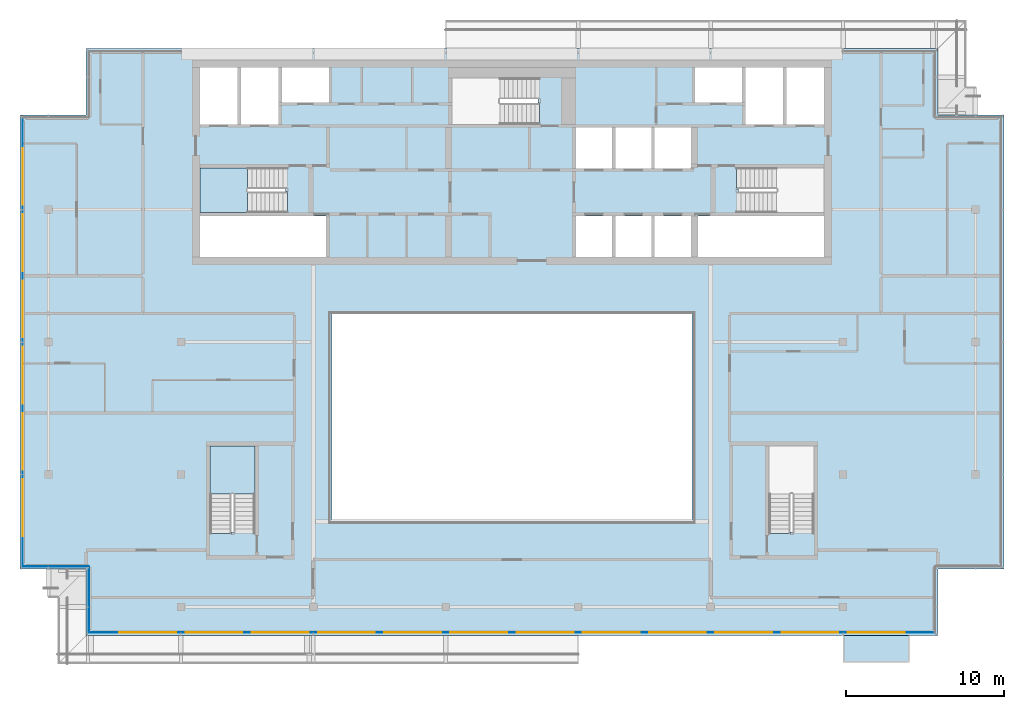
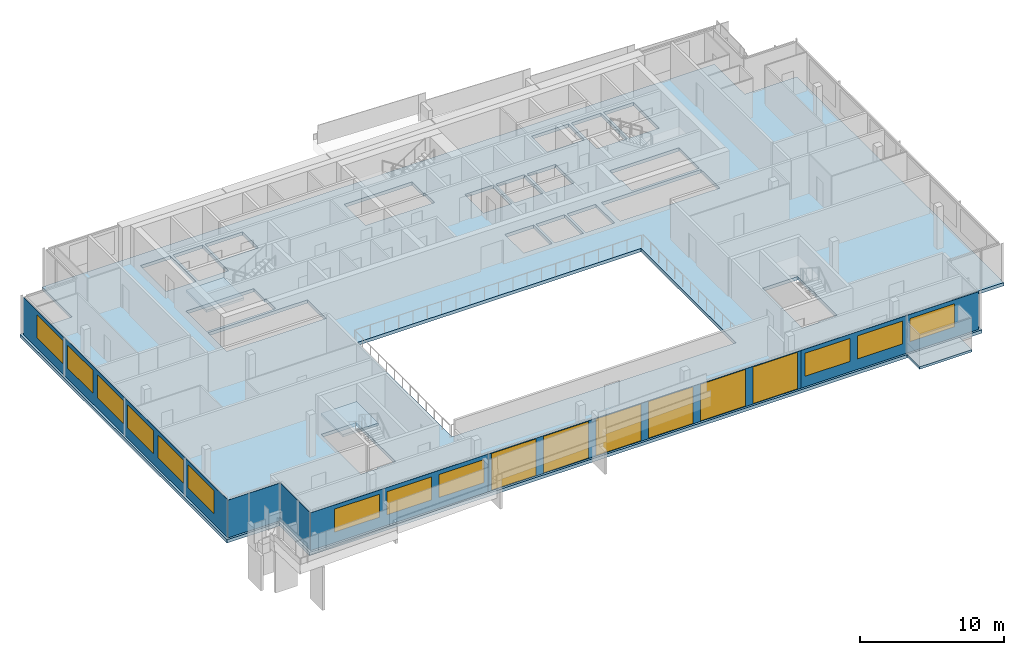
# One storey, part 10 of 22: 18 windows, 6 plates, 4 slabs, 18 openings, 6 elements without a shape of their own.
"""IFC4 building model written with IfcOpenShell, lengths in metres."""

from ifc_helpers import new_model, si_unit, direction, frame, frame_2d, origin, place, context, subcontext, project, spatial, polyline, rectangle, outline, extrude, material, layer, layer_set, type_object, element, fill, aggregate, save


model = new_model("IFC4")

# Units and contexts
model_context = context("Model", 3, precision=1e-05, world=origin(), true_north=direction((0.0, 1.0)))
body_context = subcontext(model_context, "Body", "Model", "MODEL_VIEW")
ifc_project = project(units=[si_unit("LENGTHUNIT", "METRE"), si_unit("AREAUNIT", "SQUARE_METRE"), si_unit("VOLUMEUNIT", "CUBIC_METRE"), si_unit("PLANEANGLEUNIT", "RADIAN"), si_unit("MASSUNIT", "GRAM", prefix="KILO")], contexts=[model_context])

# Site, building, storey
site_placement = place(None, origin())
site = spatial("IfcSite", under=ifc_project, at=site_placement, CompositionType="ELEMENT")
building_placement = place(site_placement, origin())
building = spatial("IfcBuilding", under=site, at=building_placement, Name="Saffron Gate Tower", CompositionType="ELEMENT")
storey_placement = place(building_placement, frame((0.0, 0.0, 295.949951171875)))
storey = spatial("IfcBuildingStorey", under=building, at=storey_placement, Name="L72", CompositionType="ELEMENT", Elevation=295.949951171875)

# Curtain wall, plates, openings, windows
ifc_material_1 = material(Name="Aluminium, bronze anodised", Category="aluminium")
curtain_wall_type_1 = type_object("IfcCurtainWallType", Name="CWS1 curtain wall front facade", PredefinedType="NOTDEFINED", material=ifc_material_1)
curtain_wall_1_placement = place(storey_placement, origin())
curtain_wall_1 = element("IfcCurtainWall", 1, at=curtain_wall_1_placement, inside=storey, type_object=curtain_wall_type_1, Name="CWS1 run 1", PredefinedType="NOTDEFINED")
ifc_material_2 = material(Name="Clear low-iron laminated glass", Category="glass")
ifc_layer_1 = layer(ifc_material_2, 0.028076171875)
ifc_layer_set_1 = layer_set([ifc_layer_1], Name="CWS1 clear glass")
plate_type_1 = type_object("IfcPlateType", Name="CWS1 clear glass", PredefinedType="CURTAIN_PANEL", material=ifc_layer_set_1)
plate_1_placement = place(storey_placement, frame((75.030029296875, 38.573974609375, 0.0), z_axis=(0.0, 0.0, 1.0), x_axis=(1.0, 0.0, 0.0)))
plate_1 = element("IfcPlate", 2, at=plate_1_placement, type_object=plate_type_1, Name="CWS1 clear glass panel", PredefinedType="CURTAIN_PANEL", context=body_context, shape_type="SweptSolid", body=[
    extrude(rectangle(XDim=25.139892578125, YDim=0.028076171875, at=frame_2d((12.56982421875, 0.0))), origin(), (0.0, 0.0, 1.0), 3.199951171875),
])
opening_1_placement = place(plate_1_placement, frame((0.27001953125, 0.0, 0.050048828125)))
opening_1 = element("IfcOpeningElement", 3, at=opening_1_placement, cuts=plate_1, Name="Opening WA", PredefinedType="OPENING", context=body_context, shape_type="SweptSolid", body=[
    extrude(rectangle(XDim=3.60009765625, YDim=3.10009765625, at=frame_2d((1.800048828125, 1.550048828125))), frame((0.0, 0.02392578125, 0.0), z_axis=(0.0, -1.0, 0.0), x_axis=(1.0, 0.0, 0.0)), (0.0, 0.0, 1.0), 0.048095703125),
])
opening_2_placement = place(plate_1_placement, frame((4.469970703125, 0.0, 0.050048828125)))
opening_2 = element("IfcOpeningElement", 4, at=opening_2_placement, cuts=plate_1, Name="Opening WA", PredefinedType="OPENING", context=body_context, shape_type="SweptSolid", body=[
    extrude(rectangle(XDim=3.60009765625, YDim=3.10009765625, at=frame_2d((1.800048828125, 1.550048828125))), frame((0.0, 0.02392578125, 0.0), z_axis=(0.0, -1.0, 0.0), x_axis=(1.0, 0.0, 0.0)), (0.0, 0.0, 1.0), 0.048095703125),
])
opening_3_placement = place(plate_1_placement, frame((8.669921875, 0.0, 0.050048828125)))
opening_3 = element("IfcOpeningElement", 5, at=opening_3_placement, cuts=plate_1, Name="Opening WA", PredefinedType="OPENING", context=body_context, shape_type="SweptSolid", body=[
    extrude(rectangle(XDim=3.60009765625, YDim=3.10009765625, at=frame_2d((1.800048828125, 1.550048828125))), frame((0.0, 0.02392578125, 0.0), z_axis=(0.0, -1.0, 0.0), x_axis=(1.0, 0.0, 0.0)), (0.0, 0.0, 1.0), 0.048095703125),
])
opening_4_placement = place(plate_1_placement, frame((12.8701171875, 0.0, 0.050048828125)))
opening_4 = element("IfcOpeningElement", 6, at=opening_4_placement, cuts=plate_1, Name="Opening WA", PredefinedType="OPENING", context=body_context, shape_type="SweptSolid", body=[
    extrude(rectangle(XDim=3.60009765625, YDim=3.10009765625, at=frame_2d((1.800048828125, 1.550048828125))), frame((0.0, 0.02392578125, 0.0), z_axis=(0.0, -1.0, 0.0), x_axis=(1.0, 0.0, 0.0)), (0.0, 0.0, 1.0), 0.048095703125),
])
opening_5_placement = place(plate_1_placement, frame((17.070068359375, 0.0, 0.050048828125)))
opening_5 = element("IfcOpeningElement", 7, at=opening_5_placement, cuts=plate_1, Name="Opening WA", PredefinedType="OPENING", context=body_context, shape_type="SweptSolid", body=[
    extrude(rectangle(XDim=3.60009765625, YDim=3.10009765625, at=frame_2d((1.800048828125, 1.550048828125))), frame((0.0, 0.02392578125, 0.0), z_axis=(0.0, -1.0, 0.0), x_axis=(1.0, 0.0, 0.0)), (0.0, 0.0, 1.0), 0.048095703125),
])
opening_6_placement = place(plate_1_placement, frame((21.27001953125, 0.0, 0.050048828125)))
opening_6 = element("IfcOpeningElement", 8, at=opening_6_placement, cuts=plate_1, Name="Opening WA", PredefinedType="OPENING", context=body_context, shape_type="SweptSolid", body=[
    extrude(rectangle(XDim=3.60009765625, YDim=3.10009765625, at=frame_2d((1.800048828125, 1.550048828125))), frame((0.0, 0.02392578125, 0.0), z_axis=(0.0, -1.0, 0.0), x_axis=(1.0, 0.0, 0.0)), (0.0, 0.0, 1.0), 0.048095703125),
])
ifc_material_3 = material(Name="Clear low-iron laminated glass in bronze frame", Category="glass")
ifc_layer_2 = layer(ifc_material_3, 0.06005859375)
ifc_layer_set_2 = layer_set([ifc_layer_2], Name="WA operable atrium unit 3600x3100")
window_type_1 = type_object("IfcWindowType", Name="WA operable atrium unit 3600x3100", PartitioningType="DOUBLE_PANEL_HORIZONTAL", PredefinedType="WINDOW", material=ifc_layer_set_2)
window_1_placement = place(opening_1_placement, origin())
window_1 = element("IfcWindow", 9, at=window_1_placement, type_object=window_type_1, Name="WA operable atrium unit", OverallHeight=3.10009765625, OverallWidth=3.60009765625, PartitioningType="SINGLE_PANEL", PredefinedType="WINDOW", context=body_context, shape_type="SweptSolid", body=[
    extrude(rectangle(XDim=3.60009765625, YDim=3.10009765625, at=frame_2d((1.800048828125, 1.550048828125))), frame((0.0, 0.013671875, 0.0), z_axis=(0.0, -1.0, 0.0), x_axis=(1.0, 0.0, 0.0)), (0.0, 0.0, 1.0), 0.027587890625),
])
fill(opening_1, window_1)
window_2_placement = place(opening_2_placement, origin())
window_2 = element("IfcWindow", 10, at=window_2_placement, type_object=window_type_1, Name="WA operable atrium unit", OverallHeight=3.10009765625, OverallWidth=3.60009765625, PartitioningType="SINGLE_PANEL", PredefinedType="WINDOW", context=body_context, shape_type="SweptSolid", body=[
    extrude(rectangle(XDim=3.60009765625, YDim=3.10009765625, at=frame_2d((1.800048828125, 1.550048828125))), frame((0.0, 0.013671875, 0.0), z_axis=(0.0, -1.0, 0.0), x_axis=(1.0, 0.0, 0.0)), (0.0, 0.0, 1.0), 0.027587890625),
])
fill(opening_2, window_2)
window_3_placement = place(opening_3_placement, origin())
window_3 = element("IfcWindow", 11, at=window_3_placement, type_object=window_type_1, Name="WA operable atrium unit", OverallHeight=3.10009765625, OverallWidth=3.60009765625, PartitioningType="SINGLE_PANEL", PredefinedType="WINDOW", context=body_context, shape_type="SweptSolid", body=[
    extrude(rectangle(XDim=3.60009765625, YDim=3.10009765625, at=frame_2d((1.800048828125, 1.550048828125))), frame((0.0, 0.013671875, 0.0), z_axis=(0.0, -1.0, 0.0), x_axis=(1.0, 0.0, 0.0)), (0.0, 0.0, 1.0), 0.027587890625),
])
fill(opening_3, window_3)
window_4_placement = place(opening_4_placement, origin())
window_4 = element("IfcWindow", 12, at=window_4_placement, type_object=window_type_1, Name="WA operable atrium unit", OverallHeight=3.10009765625, OverallWidth=3.60009765625, PartitioningType="SINGLE_PANEL", PredefinedType="WINDOW", context=body_context, shape_type="SweptSolid", body=[
    extrude(rectangle(XDim=3.60009765625, YDim=3.10009765625, at=frame_2d((1.800048828125, 1.550048828125))), frame((0.0, 0.013671875, 0.0), z_axis=(0.0, -1.0, 0.0), x_axis=(1.0, 0.0, 0.0)), (0.0, 0.0, 1.0), 0.027587890625),
])
fill(opening_4, window_4)
window_5_placement = place(opening_5_placement, origin())
window_5 = element("IfcWindow", 13, at=window_5_placement, type_object=window_type_1, Name="WA operable atrium unit", OverallHeight=3.10009765625, OverallWidth=3.60009765625, PartitioningType="SINGLE_PANEL", PredefinedType="WINDOW", context=body_context, shape_type="SweptSolid", body=[
    extrude(rectangle(XDim=3.60009765625, YDim=3.10009765625, at=frame_2d((1.800048828125, 1.550048828125))), frame((0.0, 0.013671875, 0.0), z_axis=(0.0, -1.0, 0.0), x_axis=(1.0, 0.0, 0.0)), (0.0, 0.0, 1.0), 0.027587890625),
])
fill(opening_5, window_5)
window_6_placement = place(opening_6_placement, origin())
window_6 = element("IfcWindow", 14, at=window_6_placement, type_object=window_type_1, Name="WA operable atrium unit", OverallHeight=3.10009765625, OverallWidth=3.60009765625, PartitioningType="SINGLE_PANEL", PredefinedType="WINDOW", context=body_context, shape_type="SweptSolid", body=[
    extrude(rectangle(XDim=3.60009765625, YDim=3.10009765625, at=frame_2d((1.800048828125, 1.550048828125))), frame((0.0, 0.013671875, 0.0), z_axis=(0.0, -1.0, 0.0), x_axis=(1.0, 0.0, 0.0)), (0.0, 0.0, 1.0), 0.027587890625),
])
fill(opening_6, window_6)
ifc_material_4 = material(Name="Fritted bronze-tinted laminated glass", Category="glass")
ifc_layer_3 = layer(ifc_material_4, 0.028076171875)
ifc_layer_set_3 = layer_set([ifc_layer_3], Name="CWS1 fixed glass")
plate_type_2 = type_object("IfcPlateType", Name="CWS1 fixed glass", PredefinedType="CURTAIN_PANEL", material=ifc_layer_set_3)
plate_2_placement = place(storey_placement, frame((60.7880859375, 38.573974609375, 0.0), z_axis=(0.0, 0.0, 1.0), x_axis=(1.0, 0.0, 0.0)))
plate_2 = element("IfcPlate", 15, at=plate_2_placement, type_object=plate_type_2, Name="CWS1 glass panel", PredefinedType="CURTAIN_PANEL", context=body_context, shape_type="SweptSolid", body=[
    extrude(rectangle(XDim=14.241943359375, YDim=0.028076171875, at=frame_2d((7.12109375, 0.0))), origin(), (0.0, 0.0, 1.0), 3.199951171875),
])
opening_7_placement = place(plate_2_placement, frame((1.912109375, 0.0, 0.89990234375)))
opening_7 = element("IfcOpeningElement", 16, at=opening_7_placement, cuts=plate_2, Name="Opening W1", PredefinedType="OPENING", context=body_context, shape_type="SweptSolid", body=[
    extrude(rectangle(XDim=3.60009765625, YDim=1.949951171875, at=frame_2d((1.800048828125, 0.97509765625))), frame((0.0, 0.02392578125, 0.0), z_axis=(0.0, -1.0, 0.0), x_axis=(1.0, 0.0, 0.0)), (0.0, 0.0, 1.0), 0.048095703125),
])
opening_8_placement = place(plate_2_placement, frame((6.112060546875, 0.0, 0.89990234375)))
opening_8 = element("IfcOpeningElement", 17, at=opening_8_placement, cuts=plate_2, Name="Opening W1", PredefinedType="OPENING", context=body_context, shape_type="SweptSolid", body=[
    extrude(rectangle(XDim=3.60009765625, YDim=1.949951171875, at=frame_2d((1.800048828125, 0.97509765625))), frame((0.0, 0.02392578125, 0.0), z_axis=(0.0, -1.0, 0.0), x_axis=(1.0, 0.0, 0.0)), (0.0, 0.0, 1.0), 0.048095703125),
])
opening_9_placement = place(plate_2_placement, frame((10.31201171875, 0.0, 0.89990234375)))
opening_9 = element("IfcOpeningElement", 18, at=opening_9_placement, cuts=plate_2, Name="Opening W1", PredefinedType="OPENING", context=body_context, shape_type="SweptSolid", body=[
    extrude(rectangle(XDim=3.60009765625, YDim=1.949951171875, at=frame_2d((1.800048828125, 0.97509765625))), frame((0.0, 0.02392578125, 0.0), z_axis=(0.0, -1.0, 0.0), x_axis=(1.0, 0.0, 0.0)), (0.0, 0.0, 1.0), 0.048095703125),
])
ifc_material_5 = material(Name="Fritted bronze-tinted laminated glass in bronze frame", Category="glass")
ifc_layer_4 = layer(ifc_material_5, 0.06005859375)
ifc_layer_set_4 = layer_set([ifc_layer_4], Name="W1 operable panel 3600x1950")
window_type_2 = type_object("IfcWindowType", Name="W1 operable panel 3600x1950", PartitioningType="DOUBLE_PANEL_HORIZONTAL", PredefinedType="WINDOW", material=ifc_layer_set_4)
window_7_placement = place(opening_7_placement, origin())
window_7 = element("IfcWindow", 19, at=window_7_placement, type_object=window_type_2, Name="W1 operable panel", OverallHeight=1.949951171875, OverallWidth=3.60009765625, PartitioningType="SINGLE_PANEL", PredefinedType="WINDOW", context=body_context, shape_type="SweptSolid", body=[
    extrude(rectangle(XDim=3.60009765625, YDim=1.949951171875, at=frame_2d((1.800048828125, 0.97509765625))), frame((0.0, 0.013671875, 0.0), z_axis=(0.0, -1.0, 0.0), x_axis=(1.0, 0.0, 0.0)), (0.0, 0.0, 1.0), 0.027587890625),
])
fill(opening_7, window_7)
window_8_placement = place(opening_8_placement, origin())
window_8 = element("IfcWindow", 20, at=window_8_placement, type_object=window_type_2, Name="W1 operable panel", OverallHeight=1.949951171875, OverallWidth=3.60009765625, PartitioningType="SINGLE_PANEL", PredefinedType="WINDOW", context=body_context, shape_type="SweptSolid", body=[
    extrude(rectangle(XDim=3.60009765625, YDim=1.949951171875, at=frame_2d((1.800048828125, 0.97509765625))), frame((0.0, 0.013671875, 0.0), z_axis=(0.0, -1.0, 0.0), x_axis=(1.0, 0.0, 0.0)), (0.0, 0.0, 1.0), 0.027587890625),
])
fill(opening_8, window_8)
window_9_placement = place(opening_9_placement, origin())
window_9 = element("IfcWindow", 21, at=window_9_placement, type_object=window_type_2, Name="W1 operable panel", OverallHeight=1.949951171875, OverallWidth=3.60009765625, PartitioningType="SINGLE_PANEL", PredefinedType="WINDOW", context=body_context, shape_type="SweptSolid", body=[
    extrude(rectangle(XDim=3.60009765625, YDim=1.949951171875, at=frame_2d((1.800048828125, 0.97509765625))), frame((0.0, 0.013671875, 0.0), z_axis=(0.0, -1.0, 0.0), x_axis=(1.0, 0.0, 0.0)), (0.0, 0.0, 1.0), 0.027587890625),
])
fill(opening_9, window_9)
plate_3_placement = place(storey_placement, frame((100.169921875, 38.573974609375, 0.0), z_axis=(0.0, 0.0, 1.0), x_axis=(1.0, 0.0, 0.0)))
plate_3 = element("IfcPlate", 22, at=plate_3_placement, type_object=plate_type_2, Name="CWS1 glass panel", PredefinedType="CURTAIN_PANEL", context=body_context, shape_type="SweptSolid", body=[
    extrude(rectangle(XDim=14.2421875, YDim=0.028076171875, at=frame_2d((7.12109375, 0.0))), origin(), (0.0, 0.0, 1.0), 3.199951171875),
])
opening_10_placement = place(plate_3_placement, frame((0.330078125, 0.0, 0.89990234375)))
opening_10 = element("IfcOpeningElement", 23, at=opening_10_placement, cuts=plate_3, Name="Opening W1", PredefinedType="OPENING", context=body_context, shape_type="SweptSolid", body=[
    extrude(rectangle(XDim=3.60009765625, YDim=1.949951171875, at=frame_2d((1.800048828125, 0.97509765625))), frame((0.0, 0.02392578125, 0.0), z_axis=(0.0, -1.0, 0.0), x_axis=(1.0, 0.0, 0.0)), (0.0, 0.0, 1.0), 0.048095703125),
])
opening_11_placement = place(plate_3_placement, frame((4.530029296875, 0.0, 0.89990234375)))
opening_11 = element("IfcOpeningElement", 24, at=opening_11_placement, cuts=plate_3, Name="Opening W1", PredefinedType="OPENING", context=body_context, shape_type="SweptSolid", body=[
    extrude(rectangle(XDim=3.60009765625, YDim=1.949951171875, at=frame_2d((1.800048828125, 0.97509765625))), frame((0.0, 0.02392578125, 0.0), z_axis=(0.0, -1.0, 0.0), x_axis=(1.0, 0.0, 0.0)), (0.0, 0.0, 1.0), 0.048095703125),
])
opening_12_placement = place(plate_3_placement, frame((8.72998046875, 0.0, 0.89990234375)))
opening_12 = element("IfcOpeningElement", 25, at=opening_12_placement, cuts=plate_3, Name="Opening W1", PredefinedType="OPENING", context=body_context, shape_type="SweptSolid", body=[
    extrude(rectangle(XDim=3.60009765625, YDim=1.949951171875, at=frame_2d((1.800048828125, 0.97509765625))), frame((0.0, 0.02392578125, 0.0), z_axis=(0.0, -1.0, 0.0), x_axis=(1.0, 0.0, 0.0)), (0.0, 0.0, 1.0), 0.048095703125),
])
window_10_placement = place(opening_10_placement, origin())
window_10 = element("IfcWindow", 26, at=window_10_placement, type_object=window_type_2, Name="W1 operable panel", OverallHeight=1.949951171875, OverallWidth=3.60009765625, PartitioningType="SINGLE_PANEL", PredefinedType="WINDOW", context=body_context, shape_type="SweptSolid", body=[
    extrude(rectangle(XDim=3.60009765625, YDim=1.949951171875, at=frame_2d((1.800048828125, 0.97509765625))), frame((0.0, 0.013671875, 0.0), z_axis=(0.0, -1.0, 0.0), x_axis=(1.0, 0.0, 0.0)), (0.0, 0.0, 1.0), 0.027587890625),
])
fill(opening_10, window_10)
window_11_placement = place(opening_11_placement, origin())
window_11 = element("IfcWindow", 27, at=window_11_placement, type_object=window_type_2, Name="W1 operable panel", OverallHeight=1.949951171875, OverallWidth=3.60009765625, PartitioningType="SINGLE_PANEL", PredefinedType="WINDOW", context=body_context, shape_type="SweptSolid", body=[
    extrude(rectangle(XDim=3.60009765625, YDim=1.949951171875, at=frame_2d((1.800048828125, 0.97509765625))), frame((0.0, 0.013671875, 0.0), z_axis=(0.0, -1.0, 0.0), x_axis=(1.0, 0.0, 0.0)), (0.0, 0.0, 1.0), 0.027587890625),
])
fill(opening_11, window_11)
window_12_placement = place(opening_12_placement, origin())
window_12 = element("IfcWindow", 28, at=window_12_placement, type_object=window_type_2, Name="W1 operable panel", OverallHeight=1.949951171875, OverallWidth=3.60009765625, PartitioningType="SINGLE_PANEL", PredefinedType="WINDOW", context=body_context, shape_type="SweptSolid", body=[
    extrude(rectangle(XDim=3.60009765625, YDim=1.949951171875, at=frame_2d((1.800048828125, 0.97509765625))), frame((0.0, 0.013671875, 0.0), z_axis=(0.0, -1.0, 0.0), x_axis=(1.0, 0.0, 0.0)), (0.0, 0.0, 1.0), 0.027587890625),
])
fill(opening_12, window_12)
aggregate(curtain_wall_1, [plate_2, plate_3, plate_1, window_7, window_8, window_9, window_10, window_11, window_12, window_1, window_2, window_3, window_4, window_5, window_6])

# Curtain wall, plate, openings, windows
curtain_wall_type_2 = type_object("IfcCurtainWallType", Name="CWS2 curtain wall side facades", PredefinedType="NOTDEFINED", material=ifc_material_1)
curtain_wall_2_placement = place(storey_placement, origin())
curtain_wall_2 = element("IfcCurtainWall", 29, at=curtain_wall_2_placement, inside=storey, type_object=curtain_wall_type_2, Name="CWS2 run 10", PredefinedType="NOTDEFINED")
ifc_layer_5 = layer(ifc_material_4, 0.028076171875)
ifc_layer_set_5 = layer_set([ifc_layer_5], Name="CWS2 fixed glass")
plate_type_3 = type_object("IfcPlateType", Name="CWS2 fixed glass", PredefinedType="CURTAIN_PANEL", material=ifc_layer_set_5)
plate_4_placement = place(storey_placement, frame((56.573974609375, 71.2119140625, 0.0), z_axis=(0.0, 0.0, 1.0), x_axis=(0.0, -1.0, 0.0)))
plate_4 = element("IfcPlate", 30, at=plate_4_placement, type_object=plate_type_3, Name="CWS2 glass panel", PredefinedType="CURTAIN_PANEL", context=body_context, shape_type="SweptSolid", body=[
    extrude(rectangle(XDim=28.423828125, YDim=0.028076171875, at=frame_2d((14.2119140625, 0.0))), origin(), (0.0, 0.0, 1.0), 3.199951171875),
])
opening_13_placement = place(plate_4_placement, frame((1.912109375, 0.0, 0.89990234375)))
opening_13 = element("IfcOpeningElement", 31, at=opening_13_placement, cuts=plate_4, Name="Opening W1", PredefinedType="OPENING", context=body_context, shape_type="SweptSolid", body=[
    extrude(rectangle(XDim=3.60009765625, YDim=1.949951171875, at=frame_2d((1.800048828125, 0.97509765625))), frame((0.0, 0.02392578125, 0.0), z_axis=(0.0, -1.0, 0.0), x_axis=(1.0, 0.0, 0.0)), (0.0, 0.0, 1.0), 0.048095703125),
])
opening_14_placement = place(plate_4_placement, frame((6.112060546875, 0.0, 0.89990234375)))
opening_14 = element("IfcOpeningElement", 32, at=opening_14_placement, cuts=plate_4, Name="Opening W1", PredefinedType="OPENING", context=body_context, shape_type="SweptSolid", body=[
    extrude(rectangle(XDim=3.60009765625, YDim=1.949951171875, at=frame_2d((1.800048828125, 0.97509765625))), frame((0.0, 0.02392578125, 0.0), z_axis=(0.0, -1.0, 0.0), x_axis=(1.0, 0.0, 0.0)), (0.0, 0.0, 1.0), 0.048095703125),
])
opening_15_placement = place(plate_4_placement, frame((10.31201171875, 0.0, 0.89990234375)))
opening_15 = element("IfcOpeningElement", 33, at=opening_15_placement, cuts=plate_4, Name="Opening W1", PredefinedType="OPENING", context=body_context, shape_type="SweptSolid", body=[
    extrude(rectangle(XDim=3.60009765625, YDim=1.949951171875, at=frame_2d((1.800048828125, 0.97509765625))), frame((0.0, 0.02392578125, 0.0), z_axis=(0.0, -1.0, 0.0), x_axis=(1.0, 0.0, 0.0)), (0.0, 0.0, 1.0), 0.048095703125),
])
opening_16_placement = place(plate_4_placement, frame((14.511962890625, 0.0, 0.89990234375)))
opening_16 = element("IfcOpeningElement", 34, at=opening_16_placement, cuts=plate_4, Name="Opening W1", PredefinedType="OPENING", context=body_context, shape_type="SweptSolid", body=[
    extrude(rectangle(XDim=3.60009765625, YDim=1.949951171875, at=frame_2d((1.800048828125, 0.97509765625))), frame((0.0, 0.02392578125, 0.0), z_axis=(0.0, -1.0, 0.0), x_axis=(1.0, 0.0, 0.0)), (0.0, 0.0, 1.0), 0.048095703125),
])
opening_17_placement = place(plate_4_placement, frame((18.7119140625, 0.0, 0.89990234375)))
opening_17 = element("IfcOpeningElement", 35, at=opening_17_placement, cuts=plate_4, Name="Opening W1", PredefinedType="OPENING", context=body_context, shape_type="SweptSolid", body=[
    extrude(rectangle(XDim=3.60009765625, YDim=1.949951171875, at=frame_2d((1.800048828125, 0.97509765625))), frame((0.0, 0.02392578125, 0.0), z_axis=(0.0, -1.0, 0.0), x_axis=(1.0, 0.0, 0.0)), (0.0, 0.0, 1.0), 0.048095703125),
])
opening_18_placement = place(plate_4_placement, frame((22.912109375, 0.0, 0.89990234375)))
opening_18 = element("IfcOpeningElement", 36, at=opening_18_placement, cuts=plate_4, Name="Opening W1", PredefinedType="OPENING", context=body_context, shape_type="SweptSolid", body=[
    extrude(rectangle(XDim=3.60009765625, YDim=1.949951171875, at=frame_2d((1.800048828125, 0.97509765625))), frame((0.0, 0.02392578125, 0.0), z_axis=(0.0, -1.0, 0.0), x_axis=(1.0, 0.0, 0.0)), (0.0, 0.0, 1.0), 0.048095703125),
])
window_13_placement = place(opening_13_placement, origin())
window_13 = element("IfcWindow", 37, at=window_13_placement, type_object=window_type_2, Name="W1 operable panel", OverallHeight=1.949951171875, OverallWidth=3.60009765625, PartitioningType="SINGLE_PANEL", PredefinedType="WINDOW", context=body_context, shape_type="SweptSolid", body=[
    extrude(rectangle(XDim=3.60009765625, YDim=1.949951171875, at=frame_2d((1.800048828125, 0.97509765625))), frame((0.0, 0.013671875, 0.0), z_axis=(0.0, -1.0, 0.0), x_axis=(1.0, 0.0, 0.0)), (0.0, 0.0, 1.0), 0.027587890625),
])
fill(opening_13, window_13)
window_14_placement = place(opening_14_placement, origin())
window_14 = element("IfcWindow", 38, at=window_14_placement, type_object=window_type_2, Name="W1 operable panel", OverallHeight=1.949951171875, OverallWidth=3.60009765625, PartitioningType="SINGLE_PANEL", PredefinedType="WINDOW", context=body_context, shape_type="SweptSolid", body=[
    extrude(rectangle(XDim=3.60009765625, YDim=1.949951171875, at=frame_2d((1.800048828125, 0.97509765625))), frame((0.0, 0.013671875, 0.0), z_axis=(0.0, -1.0, 0.0), x_axis=(1.0, 0.0, 0.0)), (0.0, 0.0, 1.0), 0.027587890625),
])
fill(opening_14, window_14)
window_15_placement = place(opening_15_placement, origin())
window_15 = element("IfcWindow", 39, at=window_15_placement, type_object=window_type_2, Name="W1 operable panel", OverallHeight=1.949951171875, OverallWidth=3.60009765625, PartitioningType="SINGLE_PANEL", PredefinedType="WINDOW", context=body_context, shape_type="SweptSolid", body=[
    extrude(rectangle(XDim=3.60009765625, YDim=1.949951171875, at=frame_2d((1.800048828125, 0.97509765625))), frame((0.0, 0.013671875, 0.0), z_axis=(0.0, -1.0, 0.0), x_axis=(1.0, 0.0, 0.0)), (0.0, 0.0, 1.0), 0.027587890625),
])
fill(opening_15, window_15)
window_16_placement = place(opening_16_placement, origin())
window_16 = element("IfcWindow", 40, at=window_16_placement, type_object=window_type_2, Name="W1 operable panel", OverallHeight=1.949951171875, OverallWidth=3.60009765625, PartitioningType="SINGLE_PANEL", PredefinedType="WINDOW", context=body_context, shape_type="SweptSolid", body=[
    extrude(rectangle(XDim=3.60009765625, YDim=1.949951171875, at=frame_2d((1.800048828125, 0.97509765625))), frame((0.0, 0.013671875, 0.0), z_axis=(0.0, -1.0, 0.0), x_axis=(1.0, 0.0, 0.0)), (0.0, 0.0, 1.0), 0.027587890625),
])
fill(opening_16, window_16)
window_17_placement = place(opening_17_placement, origin())
window_17 = element("IfcWindow", 41, at=window_17_placement, type_object=window_type_2, Name="W1 operable panel", OverallHeight=1.949951171875, OverallWidth=3.60009765625, PartitioningType="SINGLE_PANEL", PredefinedType="WINDOW", context=body_context, shape_type="SweptSolid", body=[
    extrude(rectangle(XDim=3.60009765625, YDim=1.949951171875, at=frame_2d((1.800048828125, 0.97509765625))), frame((0.0, 0.013671875, 0.0), z_axis=(0.0, -1.0, 0.0), x_axis=(1.0, 0.0, 0.0)), (0.0, 0.0, 1.0), 0.027587890625),
])
fill(opening_17, window_17)
window_18_placement = place(opening_18_placement, origin())
window_18 = element("IfcWindow", 42, at=window_18_placement, type_object=window_type_2, Name="W1 operable panel", OverallHeight=1.949951171875, OverallWidth=3.60009765625, PartitioningType="SINGLE_PANEL", PredefinedType="WINDOW", context=body_context, shape_type="SweptSolid", body=[
    extrude(rectangle(XDim=3.60009765625, YDim=1.949951171875, at=frame_2d((1.800048828125, 0.97509765625))), frame((0.0, 0.013671875, 0.0), z_axis=(0.0, -1.0, 0.0), x_axis=(1.0, 0.0, 0.0)), (0.0, 0.0, 1.0), 0.027587890625),
])
fill(opening_18, window_18)
aggregate(curtain_wall_2, [plate_4, window_13, window_14, window_15, window_16, window_17, window_18])

# Curtain wall, plate
curtain_wall_type_3 = type_object("IfcCurtainWallType", Name="CWS4 curtain wall corner returns", PredefinedType="NOTDEFINED", material=ifc_material_1)
curtain_wall_3_placement = place(storey_placement, origin())
curtain_wall_3 = element("IfcCurtainWall", 43, at=curtain_wall_3_placement, inside=storey, type_object=curtain_wall_type_3, Name="CWS4 run 11", PredefinedType="NOTDEFINED")
ifc_layer_6 = layer(ifc_material_4, 0.028076171875)
ifc_layer_set_6 = layer_set([ifc_layer_6], Name="CWS4 fixed glass")
plate_type_4 = type_object("IfcPlateType", Name="CWS4 fixed glass", PredefinedType="CURTAIN_PANEL", material=ifc_layer_set_6)
plate_5_placement = place(storey_placement, frame((56.587890625, 42.77392578125, 0.0), z_axis=(0.0, 0.0, 1.0), x_axis=(1.0, 0.0, 0.0)))
plate_5 = element("IfcPlate", 44, at=plate_5_placement, type_object=plate_type_4, Name="CWS4 glass panel", PredefinedType="CURTAIN_PANEL", context=body_context, shape_type="SweptSolid", body=[
    extrude(rectangle(XDim=4.172119140625, YDim=0.028076171875, at=frame_2d((2.0859375, 0.0))), origin(), (0.0, 0.0, 1.0), 3.199951171875),
])
aggregate(curtain_wall_3, [plate_5])

curtain_wall_4_placement = place(storey_placement, origin())
curtain_wall_4 = element("IfcCurtainWall", 45, at=curtain_wall_4_placement, inside=storey, type_object=curtain_wall_type_3, Name="CWS4 run 12", PredefinedType="NOTDEFINED")
plate_6_placement = place(storey_placement, frame((60.77392578125, 42.760009765625, 0.0), z_axis=(0.0, 0.0, 1.0), x_axis=(0.0, -1.0, 0.0)))
plate_6 = element("IfcPlate", 46, at=plate_6_placement, type_object=plate_type_4, Name="CWS4 glass panel", PredefinedType="CURTAIN_PANEL", context=body_context, shape_type="SweptSolid", body=[
    extrude(rectangle(XDim=4.172119140625, YDim=0.028076171875, at=frame_2d((2.0859375, 0.0))), origin(), (0.0, 0.0, 1.0), 3.199951171875),
])
aggregate(curtain_wall_4, [plate_6])

# Slab
ifc_material_6 = material(Name="Concrete C40", Category="concrete")
ifc_layer_7 = layer(ifc_material_6, 0.280029296875)
ifc_layer_set_7 = layer_set([ifc_layer_7], Name="S2 FLOOR SLAB 280 CONCRETE C40")
slab_type_1 = type_object("IfcSlabType", Name="S2 FLOOR SLAB 280 CONCRETE C40", PredefinedType="FLOOR", material=ifc_layer_set_7)
slab_1_placement = place(storey_placement, frame((0.0, 0.0, -0.280029296875)))
element("IfcSlab", 47, at=slab_1_placement, inside=storey, type_object=slab_type_1, Name="S2 FLOOR SLAB", PredefinedType="FLOOR", context=body_context, shape_type="SweptSolid", body=[
    extrude(outline(polyline([(56.39990234375, 42.60009765625), (60.60009765625, 42.60009765625), (60.60009765625, 38.39990234375), (114.60009765625, 38.39990234375), (114.60009765625, 42.60009765625), (118.800048828125, 42.60009765625), (118.800048828125, 71.39990234375), (114.60009765625, 71.39990234375), (114.60009765625, 75.60009765625), (60.60009765625, 75.60009765625), (60.60009765625, 71.39990234375), (56.39990234375, 71.39990234375), (56.39990234375, 42.60009765625)]), holes=[polyline([(67.800048828125, 62.39990234375), (67.800048828125, 65.0), (75.800048828125, 65.0), (75.800048828125, 62.39990234375), (67.800048828125, 62.39990234375)]), polyline([(67.800048828125, 65.199951171875), (67.800048828125, 68.050048828125), (73.25, 68.050048828125), (73.25, 66.550048828125), (73.34912109375, 66.550048828125), (73.34912109375, 65.199951171875), (67.800048828125, 65.199951171875)]), polyline([(67.800048828125, 70.800048828125), (67.800048828125, 74.39990234375), (70.199951171875, 74.39990234375), (70.199951171875, 70.800048828125), (67.800048828125, 70.800048828125)]), polyline([(68.449951171875, 44.85107421875), (68.449951171875, 50.39990234375), (71.300048828125, 50.39990234375), (71.300048828125, 44.949951171875), (69.800048828125, 44.949951171875), (69.800048828125, 44.85107421875), (68.449951171875, 44.85107421875)]), polyline([(70.39990234375, 70.800048828125), (70.39990234375, 74.39990234375), (72.800048828125, 74.39990234375), (72.800048828125, 70.800048828125), (70.39990234375, 70.800048828125)]), polyline([(73.0, 72.199951171875), (73.0, 74.39990234375), (76.0, 74.39990234375), (76.0, 72.199951171875), (73.0, 72.199951171875)]), polyline([(76.199951171875, 45.60009765625), (76.199951171875, 58.800048828125), (99.0, 58.800048828125), (99.0, 45.60009765625), (76.199951171875, 45.60009765625)]), polyline([(83.800048828125, 70.800048828125), (83.800048828125, 73.75), (89.25, 73.75), (89.25, 72.14990234375), (89.34912109375, 72.14990234375), (89.34912109375, 70.800048828125), (83.800048828125, 70.800048828125)]), polyline([(91.64990234375, 62.39990234375), (91.64990234375, 65.0), (93.949951171875, 65.0), (93.949951171875, 62.39990234375), (91.64990234375, 62.39990234375)]), polyline([(91.64990234375, 68.0), (91.64990234375, 70.60009765625), (93.949951171875, 70.60009765625), (93.949951171875, 68.0), (91.64990234375, 68.0)]), polyline([(94.14990234375, 62.39990234375), (94.14990234375, 65.0), (96.449951171875, 65.0), (96.449951171875, 62.39990234375), (94.14990234375, 62.39990234375)]), polyline([(94.14990234375, 68.0), (94.14990234375, 70.60009765625), (96.449951171875, 70.60009765625), (96.449951171875, 68.0), (94.14990234375, 68.0)]), polyline([(96.64990234375, 62.39990234375), (96.64990234375, 65.0), (98.949951171875, 65.0), (98.949951171875, 62.39990234375), (96.64990234375, 62.39990234375)]), polyline([(96.64990234375, 68.0), (96.64990234375, 70.60009765625), (98.949951171875, 70.60009765625), (98.949951171875, 68.0), (96.64990234375, 68.0)]), polyline([(99.199951171875, 72.199951171875), (99.199951171875, 74.39990234375), (102.199951171875, 74.39990234375), (102.199951171875, 72.199951171875), (99.199951171875, 72.199951171875)]), polyline([(99.39990234375, 62.39990234375), (99.39990234375, 65.0), (107.39990234375, 65.0), (107.39990234375, 62.39990234375), (99.39990234375, 62.39990234375)]), polyline([(101.85107421875, 66.699951171875), (101.85107421875, 68.050048828125), (107.39990234375, 68.050048828125), (107.39990234375, 65.199951171875), (101.949951171875, 65.199951171875), (101.949951171875, 66.699951171875), (101.85107421875, 66.699951171875)]), polyline([(102.39990234375, 70.800048828125), (102.39990234375, 74.39990234375), (104.800048828125, 74.39990234375), (104.800048828125, 70.800048828125), (102.39990234375, 70.800048828125)]), polyline([(103.89990234375, 44.85107421875), (103.89990234375, 50.39990234375), (106.75, 50.39990234375), (106.75, 44.949951171875), (105.25, 44.949951171875), (105.25, 44.85107421875), (103.89990234375, 44.85107421875)]), polyline([(105.0, 70.800048828125), (105.0, 74.39990234375), (107.39990234375, 74.39990234375), (107.39990234375, 70.800048828125), (105.0, 70.800048828125)])]), origin(), (0.0, 0.0, 1.0), 0.280029296875),
])

# Stair, slab
stair_type = type_object("IfcStairType", Name="ST7 Stair 1350 wide, 20 risers of 180", PredefinedType="HALF_TURN_STAIR", material=ifc_material_6)
stair_1_placement = place(storey_placement, origin())
stair_1 = element("IfcStair", 48, at=stair_1_placement, inside=storey, type_object=stair_type, Name="L72 Exit stair A", PredefinedType="HALF_TURN_STAIR")
ifc_layer_8 = layer(ifc_material_6, 0.199951171875)
ifc_layer_set_8 = layer_set([ifc_layer_8], Name="SL1 Stair landing 200")
slab_type_2 = type_object("IfcSlabType", Name="SL1 Stair landing 200", PredefinedType="LANDING", material=ifc_layer_set_8)
slab_2_placement = place(storey_placement, frame((0.0, 0.0, 1.60009765625)))
slab_2 = element("IfcSlab", 49, at=slab_2_placement, type_object=slab_type_2, Name="ST-A landing 1", PredefinedType="LANDING", context=body_context, shape_type="SweptSolid", body=[
    extrude(outline(polyline([(70.830078125, 68.050048828125), (67.800048828125, 68.050048828125), (67.800048828125, 65.199951171875), (70.830078125, 65.199951171875), (70.830078125, 68.050048828125)])), origin(), (0.0, 0.0, 1.0), 0.199951171875),
])
aggregate(stair_1, [slab_2])

stair_2_placement = place(storey_placement, origin())
stair_2 = element("IfcStair", 50, at=stair_2_placement, inside=storey, type_object=stair_type, Name="L72 Exit stair D", PredefinedType="HALF_TURN_STAIR")
slab_3_placement = place(storey_placement, frame((0.0, 0.0, 1.60009765625)))
slab_3 = element("IfcSlab", 51, at=slab_3_placement, type_object=slab_type_2, Name="ST-D landing 1", PredefinedType="LANDING", context=body_context, shape_type="SweptSolid", body=[
    extrude(outline(polyline([(71.300048828125, 47.3701171875), (71.300048828125, 50.39990234375), (68.449951171875, 50.39990234375), (68.449951171875, 47.3701171875), (71.300048828125, 47.3701171875)])), origin(), (0.0, 0.0, 1.0), 0.199951171875),
])
aggregate(stair_2, [slab_3])

# Slab
ifc_material_7 = material(Name="Timber deck on bronze frame", Category="wood")
ifc_layer_9 = layer(ifc_material_7, 0.199951171875)
ifc_layer_set_9 = layer_set([ifc_layer_9], Name="WB1 box floor")
slab_type_3 = type_object("IfcSlabType", Name="WB1 box floor", PredefinedType="FLOOR", material=ifc_layer_set_9)
slab_4_placement = place(storey_placement, frame((0.0, 0.0, -0.199951171875)))
element("IfcSlab", 52, at=slab_4_placement, inside=storey, type_object=slab_type_3, Name="WINDOW BOX floor", PredefinedType="FLOOR", context=body_context, shape_type="SweptSolid", body=[
    extrude(outline(polyline([(108.60009765625, 38.39990234375), (112.800048828125, 38.39990234375), (112.800048828125, 36.6669921875), (108.60009765625, 36.6669921875), (108.60009765625, 38.39990234375)])), origin(), (0.0, 0.0, 1.0), 0.199951171875),
])

save(model, "model.ifc")
